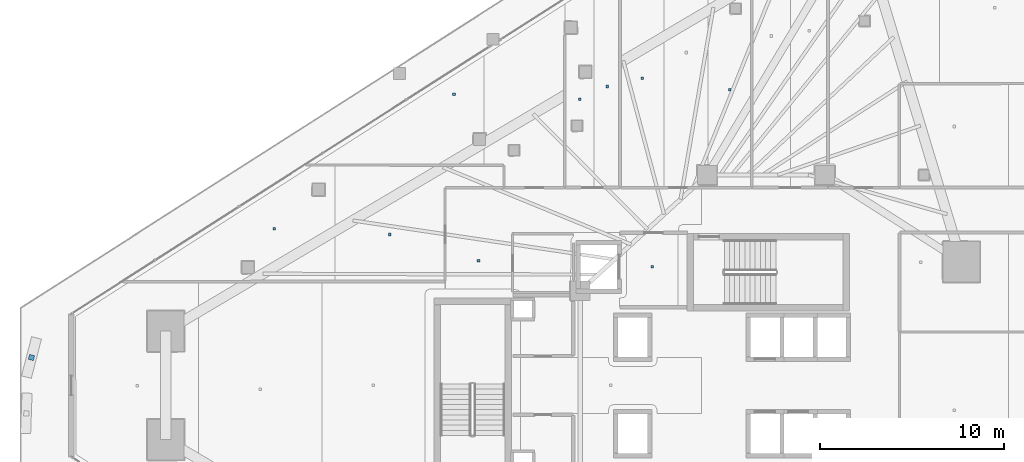
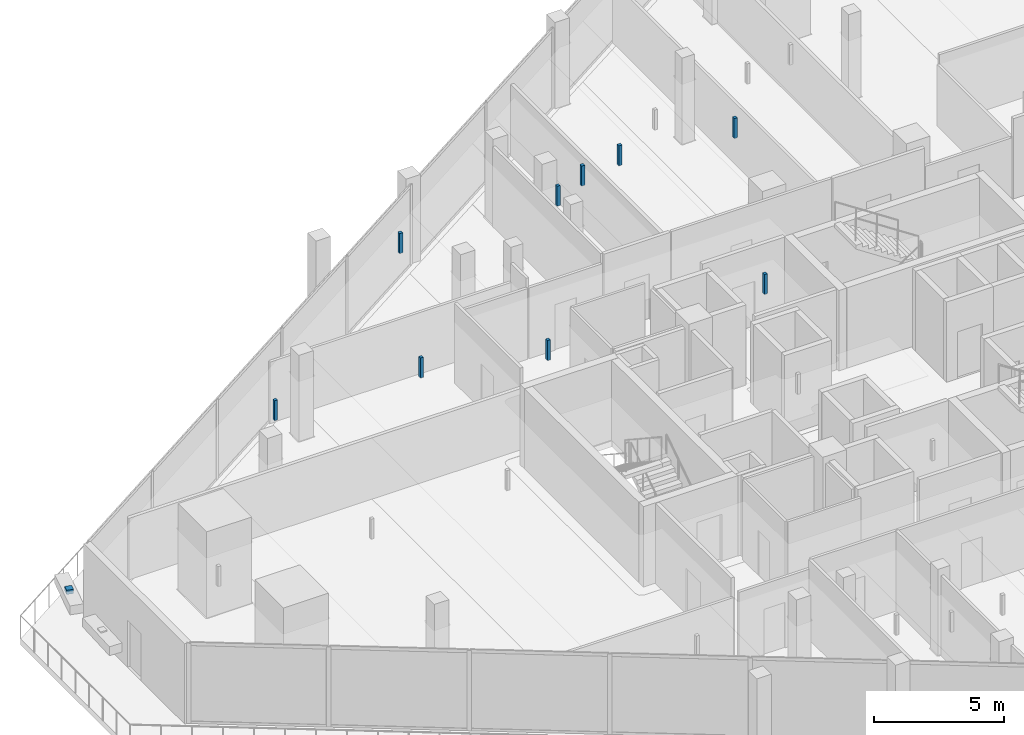
# One storey, part 35 of 45: 10 discrete accessories.
"""IFC4 building model written with IfcOpenShell, lengths in metres."""

import ifcopenshell
import ifcopenshell.guid

model = None  # the IFC model being written
_history = None  # IfcOwnerHistory: only IFC2X3 demands one
_inside = {}  # id of a spatial element -> (the spatial element, [elements in it])
_under = {}  # id of a project, library or spatial element -> (it, [spatial elements below it])
_declared = {}  # id of a project -> (the project, [libraries it declares])
_typed = {}  # id of a type object -> (the type object, [elements of that type])
_made_of = {}  # id of a material, layer set ... -> (it, [elements and type objects made of it])


def new_model(schema):
    """Start an empty IFC model of exactly this schema.

    Asked for "IFC4X3", IfcOpenShell would pick the latest addendum, in which some entities
    have other attributes; the version numbers below select the first issue.
    IFC2X3 requires an IfcOwnerHistory on every rooted entity: one is made here for all.
    """
    global model, _history
    if schema == "IFC4X3":
        model = ifcopenshell.file(schema_version=(4, 3, 0, 0))
    else:
        model = ifcopenshell.file(schema=schema)
    _inside.clear()
    _under.clear()
    _declared.clear()
    _typed.clear()
    _made_of.clear()
    _history = None
    if model.schema == "IFC2X3":
        org = make("IfcOrganization", Name="unknown")
        user = make(
            "IfcPersonAndOrganization",
            ThePerson=make("IfcPerson", FamilyName="unknown"),
            TheOrganization=org,
        )
        app = make(
            "IfcApplication",
            ApplicationDeveloper=org,
            Version="unknown",
            ApplicationFullName="unknown",
            ApplicationIdentifier="unknown",
        )
        _history = make(
            "IfcOwnerHistory",
            OwningUser=user,
            OwningApplication=app,
            ChangeAction="ADDED",
            CreationDate=0,
        )
    return model


def make(cls, **values):
    """One entity of the class cls with the attributes given. An attribute that is None is left unset."""
    return model.create_entity(
        cls, **{name: value for name, value in values.items() if value is not None}
    )


def rooted(cls, **values):
    """An entity with a GlobalId (a new one), such as an element, a storey or a relation."""
    return make(cls, GlobalId=ifcopenshell.guid.new(), OwnerHistory=_history, **values)


def si_unit(unit_type, name, prefix=None):
    """IfcSIUnit, for example si_unit("LENGTHUNIT", "METRE", prefix="MILLI")."""
    return make("IfcSIUnit", UnitType=unit_type, Prefix=prefix, Name=name)


def assignment(units):
    """IfcUnitAssignment: the units of a project."""
    return None if units is None else make("IfcUnitAssignment", Units=units)


def point(xyz):
    """IfcCartesianPoint."""
    return None if xyz is None else make("IfcCartesianPoint", Coordinates=xyz)


def direction(xyz):
    """IfcDirection."""
    return None if xyz is None else make("IfcDirection", DirectionRatios=xyz)


def frame(location, z_axis=None, x_axis=None):
    """IfcAxis2Placement3D, a coordinate frame: its origin and axes. An axis left out is left unset."""
    return make(
        "IfcAxis2Placement3D",
        Location=point(location),
        Axis=direction(z_axis),
        RefDirection=direction(x_axis),
    )


def frame_2d(location, x_axis=None):
    """IfcAxis2Placement2D, a coordinate frame in the plane: its origin and x axis."""
    return make(
        "IfcAxis2Placement2D", Location=point(location), RefDirection=direction(x_axis)
    )


def origin():
    """The frame at (0, 0, 0) with its axes left unset."""
    return frame((0.0, 0.0, 0.0))


def origin_2d():
    """The frame at (0, 0) in the plane with its x axis left unset."""
    return frame_2d((0.0, 0.0))


def place(relative_to, where):
    """IfcLocalPlacement: puts the frame where relative to a parent placement (None: the world)."""
    return make(
        "IfcLocalPlacement", PlacementRelTo=relative_to, RelativePlacement=where
    )


def context(
    kind, dimensions, precision=None, world=None, true_north=None, identifier=None
):
    """IfcGeometricRepresentationContext, for example the 3D "Model" context."""
    return make(
        "IfcGeometricRepresentationContext",
        ContextIdentifier=identifier,
        ContextType=kind,
        CoordinateSpaceDimension=dimensions,
        Precision=precision,
        WorldCoordinateSystem=world,
        TrueNorth=true_north,
    )


def subcontext(parent, identifier, kind, view, scale=None):
    """IfcGeometricRepresentationSubContext, for example "Body" below "Model"."""
    return make(
        "IfcGeometricRepresentationSubContext",
        ContextIdentifier=identifier,
        ContextType=kind,
        ParentContext=parent,
        TargetScale=scale,
        TargetView=view,
    )


def project(units=None, contexts=None):
    """IfcProject with its units and contexts."""
    return rooted(
        "IfcProject",
        Name="project",
        RepresentationContexts=contexts,
        UnitsInContext=assignment(units),
    )


def spatial(cls, under=None, at=None, **own):
    """A site, building, storey or space (cls), placed at a placement, below another one or the project."""
    s = rooted(cls, ObjectPlacement=at, **own)
    if under is not None:
        _under.setdefault(under.id(), (under, []))[1].append(s)
    return s


def profile(cls, at=None, kind="AREA", **sizes):
    """A parametric profile (cls). Its sizes go by their IFC names, for example OverallWidth=200.0."""
    return make(cls, ProfileType=kind, Position=at, **sizes)


def rectangle(**sizes):
    """IfcRectangleProfileDef."""
    return profile("IfcRectangleProfileDef", **sizes)


def extrude(swept, where, along, depth):
    """IfcExtrudedAreaSolid: the profile swept, set in the frame where, extruded along a direction by depth."""
    return make(
        "IfcExtrudedAreaSolid",
        SweptArea=swept,
        Position=where,
        ExtrudedDirection=direction(along),
        Depth=depth,
    )


def shape(context_of_items, identifier, shape_type, items):
    """IfcShapeRepresentation: the items that make up one representation, for example the "Body"."""
    return make(
        "IfcShapeRepresentation",
        ContextOfItems=context_of_items,
        RepresentationIdentifier=identifier,
        RepresentationType=shape_type,
        Items=items,
    )


def material(Name=None, Category=None):
    """IfcMaterial."""
    return make("IfcMaterial", Name=Name, Category=Category)


def made_of(thing, what):
    """Note that an element or type object is made of a material, layer set ...; save() writes the relation."""
    if what is not None:
        _made_of.setdefault(what.id(), (what, []))[1].append(thing)
    return thing


def type_object(cls, material=None, **own):
    """A type object (cls), such as IfcWallType, which elements share."""
    return made_of(rooted(cls, **own), material)


def element(
    cls,
    number,
    at=None,
    inside=None,
    cuts=None,
    type_object=None,
    material=None,
    context=None,
    identifier="Body",
    shape_type=None,
    held_by="IfcProductDefinitionShape",
    body=None,
    shapes=None,
    **own,
):
    """One element of the class cls, such as IfcWall. Its Tag is "e" and its number.

    at: its placement. inside: the storey or other place that contains it. cuts: it is an
    opening in that element (IfcRelVoidsElement). A single representation is given by context,
    identifier, shape_type and body (its items); several are given by shapes. held_by: the class
    of the entity that holds the representations. save() writes the other relations.
    """
    e = rooted(cls, Tag="e%d" % number, ObjectPlacement=at, **own)
    if body is not None:
        shapes = [shape(context, identifier, shape_type, body)]
    if shapes is not None:
        e.Representation = make(held_by, Representations=shapes)
    if inside is not None:
        _inside.setdefault(inside.id(), (inside, []))[1].append(e)
    if cuts is not None:
        rooted(
            "IfcRelVoidsElement", RelatingBuildingElement=cuts, RelatedOpeningElement=e
        )
    if type_object is not None:
        _typed.setdefault(type_object.id(), (type_object, []))[1].append(e)
    return made_of(e, material)


def aggregate(whole, parts):
    """IfcRelAggregates: a whole, such as a stair, and the parts it consists of."""
    return rooted("IfcRelAggregates", RelatingObject=whole, RelatedObjects=parts)


def save(model, path):
    """Write the relations noted so far, then the file.

    IfcRelAggregates (storeys below a building ...), IfcRelContainedInSpatialStructure (elements
    in a storey), IfcRelDefinesByType, IfcRelAssociatesMaterial and IfcRelDeclares: one each for
    every whole, place, type object, material and project.
    """
    for whole, parts in _under.values():
        aggregate(whole, parts)
    for where, things in _inside.values():
        rooted(
            "IfcRelContainedInSpatialStructure",
            RelatedElements=things,
            RelatingStructure=where,
        )
    for kind, things in _typed.values():
        rooted("IfcRelDefinesByType", RelatedObjects=things, RelatingType=kind)
    for what, things in _made_of.values():
        rooted("IfcRelAssociatesMaterial", RelatedObjects=things, RelatingMaterial=what)
    for by, libraries in _declared.values():
        rooted("IfcRelDeclares", RelatingContext=by, RelatedDefinitions=libraries)
    model.write(path)


model = new_model("IFC4")

# Units and contexts
model_context = context("Model", 3, precision=1e-05, world=origin(), true_north=direction((0.0, 1.0)))
body_context = subcontext(model_context, "Body", "Model", "MODEL_VIEW")
ifc_project = project(units=[si_unit("LENGTHUNIT", "METRE"), si_unit("AREAUNIT", "SQUARE_METRE"), si_unit("VOLUMEUNIT", "CUBIC_METRE"), si_unit("PLANEANGLEUNIT", "RADIAN"), si_unit("MASSUNIT", "GRAM", prefix="KILO")], contexts=[model_context])

# Site, building, storey
site_placement = place(None, origin())
site = spatial("IfcSite", under=ifc_project, at=site_placement, CompositionType="ELEMENT")
building_placement = place(site_placement, origin())
building = spatial("IfcBuilding", under=site, at=building_placement, Name="Qorvath Tower", CompositionType="ELEMENT")
storey_placement = place(building_placement, frame((0.0, 0.0, 109.800048828125)))
storey = spatial("IfcBuildingStorey", under=building, at=storey_placement, Name="L24", CompositionType="ELEMENT", Elevation=109.800048828125)

# Discrete accessories
ifc_material = material(Name="Galvanised steel bracket", Category="steel")
discrete_accessory_type = type_object("IfcDiscreteAccessoryType", Name="DA-BRACKET", PredefinedType="BRACKET", material=ifc_material)
discrete_accessory_placement = place(storey_placement, frame((-60.354248046875, 1.518798828125, 3.6298828125), z_axis=(0.0, 0.0, 1.0), x_axis=(-0.249942336761, -0.968260723305, 0.0)))
element("IfcDiscreteAccessory", 1, at=discrete_accessory_placement, inside=storey, type_object=discrete_accessory_type, Name="Louvre Wave Support Bracket L24-01", PredefinedType="NOTDEFINED", context=body_context, shape_type="SweptSolid", body=[
    extrude(rectangle(XDim=0.280029296875, YDim=0.280029296875, at=origin_2d()), origin(), (0.0, 0.0, 1.0), 0.199951171875),
])
for number, where, z_axis, x_axis, name in (
    (2, (-26.590087890625, 6.449951171875, 2.85986328125), (0.0, 0.0, 1.0), (1.0, 0.0, 0.0), "Acoustic Ceiling Suspension Hanger T1-L24-001"),
    (3, (-36.040283203125, 6.782470703125, 2.85986328125), (0.0, 0.0, 1.0), (1.0, 0.0, 0.0), "Acoustic Ceiling Suspension Hanger T1-L24-008"),
    (4, (-37.372802734375, 15.841064453125, 2.85986328125), (0.0, 0.0, 1.0), (1.0, 0.0, 0.0), "Acoustic Ceiling Suspension Hanger T1-L24-010"),
    (5, (-30.538818359375, 15.55810546875, 2.85986328125), (0.0, 0.0, 1.0), (1.0, 0.0, 0.0), "Acoustic Ceiling Suspension Hanger T1-L24-012"),
    (6, (-29.042724609375, 16.261474609375, 2.85986328125), (0.0, 0.0, 1.0), (1.0, 0.0, 0.0), "Acoustic Ceiling Suspension Hanger T1-L24-013"),
    (7, (-27.12744140625, 16.71875, 2.85986328125), (0.0, 0.0, 1.0), (1.0, 0.0, 0.0), "Acoustic Ceiling Suspension Hanger T1-L24-014"),
    (8, (-22.364501953125, 16.088623046875, 2.85986328125), (0.0, 0.0, 1.0), (1.0, 0.0, 0.0), "Acoustic Ceiling Suspension Hanger T1-L24-016"),
    (9, (-47.1494140625, 8.52978515625, 2.85986328125), (0.0, 0.0, 1.0), (1.0, 0.0, 0.0), "Acoustic Ceiling Suspension Hanger T1-L24-047"),
    (10, (-40.855712890625, 8.208740234375, 2.85986328125), (0.0, 0.0, 1.0), (1.0, 0.0, 0.0), "Acoustic Ceiling Suspension Hanger T1-L24-048"),
):
    element("IfcDiscreteAccessory", number, at=place(storey_placement, frame(where, z_axis=z_axis, x_axis=x_axis)), inside=storey, type_object=discrete_accessory_type, Name=name, PredefinedType="NOTDEFINED", context=body_context, shape_type="SweptSolid", body=[
        extrude(rectangle(XDim=0.139892578125, YDim=0.139892578125, at=origin_2d()), origin(), (0.0, 0.0, 1.0), 0.940185546875),
    ])

save(model, "model.ifc")
